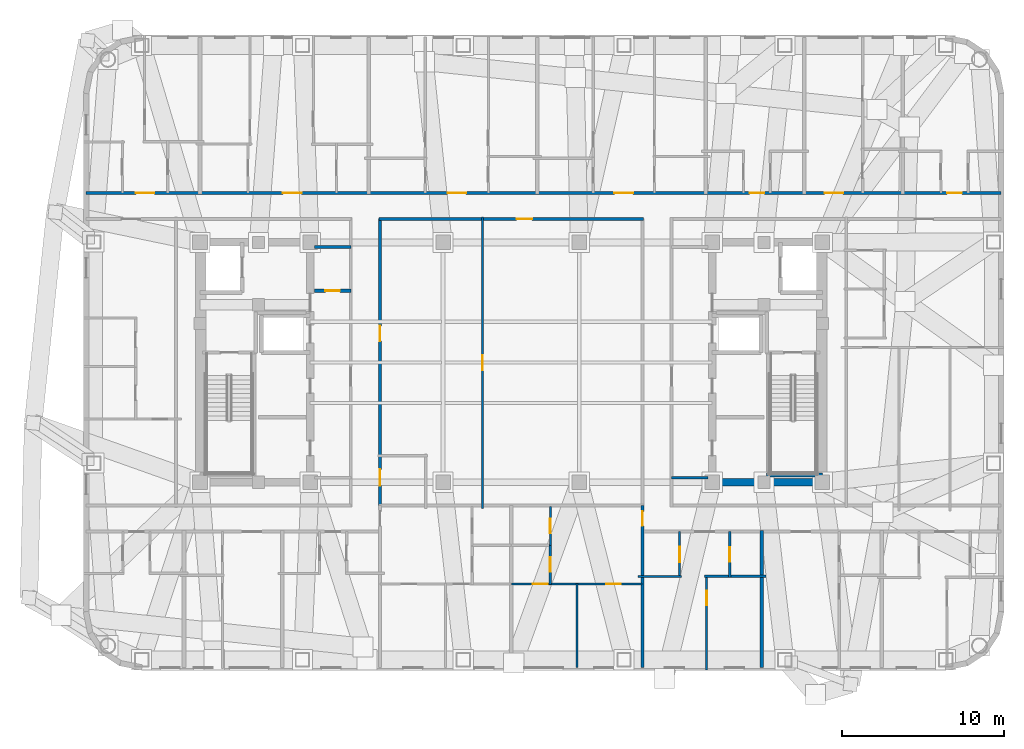
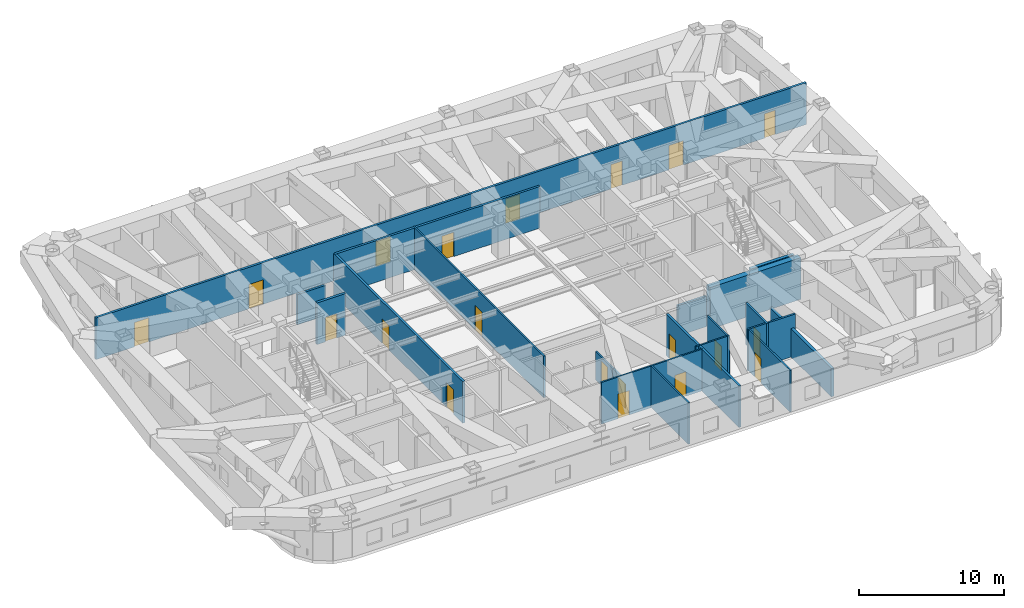
# One storey, part 6 of 12: 20 doors, 20 walls, 20 openings.
"""IFC4 building model written with IfcOpenShell, lengths in metres."""

import ifcopenshell
import ifcopenshell.guid

model = None  # the IFC model being written
_history = None  # IfcOwnerHistory: only IFC2X3 demands one
_inside = {}  # id of a spatial element -> (the spatial element, [elements in it])
_under = {}  # id of a project, library or spatial element -> (it, [spatial elements below it])
_declared = {}  # id of a project -> (the project, [libraries it declares])
_typed = {}  # id of a type object -> (the type object, [elements of that type])
_made_of = {}  # id of a material, layer set ... -> (it, [elements and type objects made of it])


def new_model(schema):
    """Start an empty IFC model of exactly this schema.

    Asked for "IFC4X3", IfcOpenShell would pick the latest addendum, in which some entities
    have other attributes; the version numbers below select the first issue.
    IFC2X3 requires an IfcOwnerHistory on every rooted entity: one is made here for all.
    """
    global model, _history
    if schema == "IFC4X3":
        model = ifcopenshell.file(schema_version=(4, 3, 0, 0))
    else:
        model = ifcopenshell.file(schema=schema)
    _inside.clear()
    _under.clear()
    _declared.clear()
    _typed.clear()
    _made_of.clear()
    _history = None
    if model.schema == "IFC2X3":
        org = make("IfcOrganization", Name="unknown")
        user = make(
            "IfcPersonAndOrganization",
            ThePerson=make("IfcPerson", FamilyName="unknown"),
            TheOrganization=org,
        )
        app = make(
            "IfcApplication",
            ApplicationDeveloper=org,
            Version="unknown",
            ApplicationFullName="unknown",
            ApplicationIdentifier="unknown",
        )
        _history = make(
            "IfcOwnerHistory",
            OwningUser=user,
            OwningApplication=app,
            ChangeAction="ADDED",
            CreationDate=0,
        )
    return model


def make(cls, **values):
    """One entity of the class cls with the attributes given. An attribute that is None is left unset."""
    return model.create_entity(
        cls, **{name: value for name, value in values.items() if value is not None}
    )


def rooted(cls, **values):
    """An entity with a GlobalId (a new one), such as an element, a storey or a relation."""
    return make(cls, GlobalId=ifcopenshell.guid.new(), OwnerHistory=_history, **values)


def si_unit(unit_type, name, prefix=None):
    """IfcSIUnit, for example si_unit("LENGTHUNIT", "METRE", prefix="MILLI")."""
    return make("IfcSIUnit", UnitType=unit_type, Prefix=prefix, Name=name)


def assignment(units):
    """IfcUnitAssignment: the units of a project."""
    return None if units is None else make("IfcUnitAssignment", Units=units)


def point(xyz):
    """IfcCartesianPoint."""
    return None if xyz is None else make("IfcCartesianPoint", Coordinates=xyz)


def direction(xyz):
    """IfcDirection."""
    return None if xyz is None else make("IfcDirection", DirectionRatios=xyz)


def frame(location, z_axis=None, x_axis=None):
    """IfcAxis2Placement3D, a coordinate frame: its origin and axes. An axis left out is left unset."""
    return make(
        "IfcAxis2Placement3D",
        Location=point(location),
        Axis=direction(z_axis),
        RefDirection=direction(x_axis),
    )


def frame_2d(location, x_axis=None):
    """IfcAxis2Placement2D, a coordinate frame in the plane: its origin and x axis."""
    return make(
        "IfcAxis2Placement2D", Location=point(location), RefDirection=direction(x_axis)
    )


def origin():
    """The frame at (0, 0, 0) with its axes left unset."""
    return frame((0.0, 0.0, 0.0))


def place(relative_to, where):
    """IfcLocalPlacement: puts the frame where relative to a parent placement (None: the world)."""
    return make(
        "IfcLocalPlacement", PlacementRelTo=relative_to, RelativePlacement=where
    )


def context(
    kind, dimensions, precision=None, world=None, true_north=None, identifier=None
):
    """IfcGeometricRepresentationContext, for example the 3D "Model" context."""
    return make(
        "IfcGeometricRepresentationContext",
        ContextIdentifier=identifier,
        ContextType=kind,
        CoordinateSpaceDimension=dimensions,
        Precision=precision,
        WorldCoordinateSystem=world,
        TrueNorth=true_north,
    )


def subcontext(parent, identifier, kind, view, scale=None):
    """IfcGeometricRepresentationSubContext, for example "Body" below "Model"."""
    return make(
        "IfcGeometricRepresentationSubContext",
        ContextIdentifier=identifier,
        ContextType=kind,
        ParentContext=parent,
        TargetScale=scale,
        TargetView=view,
    )


def project(units=None, contexts=None):
    """IfcProject with its units and contexts."""
    return rooted(
        "IfcProject",
        Name="project",
        RepresentationContexts=contexts,
        UnitsInContext=assignment(units),
    )


def spatial(cls, under=None, at=None, **own):
    """A site, building, storey or space (cls), placed at a placement, below another one or the project."""
    s = rooted(cls, ObjectPlacement=at, **own)
    if under is not None:
        _under.setdefault(under.id(), (under, []))[1].append(s)
    return s


def profile(cls, at=None, kind="AREA", **sizes):
    """A parametric profile (cls). Its sizes go by their IFC names, for example OverallWidth=200.0."""
    return make(cls, ProfileType=kind, Position=at, **sizes)


def rectangle(**sizes):
    """IfcRectangleProfileDef."""
    return profile("IfcRectangleProfileDef", **sizes)


def extrude(swept, where, along, depth):
    """IfcExtrudedAreaSolid: the profile swept, set in the frame where, extruded along a direction by depth."""
    return make(
        "IfcExtrudedAreaSolid",
        SweptArea=swept,
        Position=where,
        ExtrudedDirection=direction(along),
        Depth=depth,
    )


def shape(context_of_items, identifier, shape_type, items):
    """IfcShapeRepresentation: the items that make up one representation, for example the "Body"."""
    return make(
        "IfcShapeRepresentation",
        ContextOfItems=context_of_items,
        RepresentationIdentifier=identifier,
        RepresentationType=shape_type,
        Items=items,
    )


def material(Name=None, Category=None):
    """IfcMaterial."""
    return make("IfcMaterial", Name=Name, Category=Category)


def layer(
    of_material, thickness, ventilated=None, Name=None, Category=None, Priority=None
):
    """IfcMaterialLayer: one layer of a wall or slab, of a material (None: an air gap)."""
    return make(
        "IfcMaterialLayer",
        Material=of_material,
        LayerThickness=thickness,
        IsVentilated=ventilated,
        Name=Name,
        Category=Category,
        Priority=Priority,
    )


def layer_set(layers, Name=None):
    """IfcMaterialLayerSet."""
    return make("IfcMaterialLayerSet", MaterialLayers=layers, LayerSetName=Name)


def made_of(thing, what):
    """Note that an element or type object is made of a material, layer set ...; save() writes the relation."""
    if what is not None:
        _made_of.setdefault(what.id(), (what, []))[1].append(thing)
    return thing


def type_object(cls, material=None, **own):
    """A type object (cls), such as IfcWallType, which elements share."""
    return made_of(rooted(cls, **own), material)


def element(
    cls,
    number,
    at=None,
    inside=None,
    cuts=None,
    type_object=None,
    material=None,
    context=None,
    identifier="Body",
    shape_type=None,
    held_by="IfcProductDefinitionShape",
    body=None,
    shapes=None,
    **own,
):
    """One element of the class cls, such as IfcWall. Its Tag is "e" and its number.

    at: its placement. inside: the storey or other place that contains it. cuts: it is an
    opening in that element (IfcRelVoidsElement). A single representation is given by context,
    identifier, shape_type and body (its items); several are given by shapes. held_by: the class
    of the entity that holds the representations. save() writes the other relations.
    """
    e = rooted(cls, Tag="e%d" % number, ObjectPlacement=at, **own)
    if body is not None:
        shapes = [shape(context, identifier, shape_type, body)]
    if shapes is not None:
        e.Representation = make(held_by, Representations=shapes)
    if inside is not None:
        _inside.setdefault(inside.id(), (inside, []))[1].append(e)
    if cuts is not None:
        rooted(
            "IfcRelVoidsElement", RelatingBuildingElement=cuts, RelatedOpeningElement=e
        )
    if type_object is not None:
        _typed.setdefault(type_object.id(), (type_object, []))[1].append(e)
    return made_of(e, material)


def fill(opening, filler):
    """IfcRelFillsElement: the door or window that sits in an opening."""
    return rooted(
        "IfcRelFillsElement",
        RelatingOpeningElement=opening,
        RelatedBuildingElement=filler,
    )


def aggregate(whole, parts):
    """IfcRelAggregates: a whole, such as a stair, and the parts it consists of."""
    return rooted("IfcRelAggregates", RelatingObject=whole, RelatedObjects=parts)


def save(model, path):
    """Write the relations noted so far, then the file.

    IfcRelAggregates (storeys below a building ...), IfcRelContainedInSpatialStructure (elements
    in a storey), IfcRelDefinesByType, IfcRelAssociatesMaterial and IfcRelDeclares: one each for
    every whole, place, type object, material and project.
    """
    for whole, parts in _under.values():
        aggregate(whole, parts)
    for where, things in _inside.values():
        rooted(
            "IfcRelContainedInSpatialStructure",
            RelatedElements=things,
            RelatingStructure=where,
        )
    for kind, things in _typed.values():
        rooted("IfcRelDefinesByType", RelatedObjects=things, RelatingType=kind)
    for what, things in _made_of.values():
        rooted("IfcRelAssociatesMaterial", RelatedObjects=things, RelatingMaterial=what)
    for by, libraries in _declared.values():
        rooted("IfcRelDeclares", RelatingContext=by, RelatedDefinitions=libraries)
    model.write(path)


model = new_model("IFC4")

# Units and contexts
model_context = context("Model", 3, precision=1e-05, world=origin(), true_north=direction((0.0, 1.0)))
body_context = subcontext(model_context, "Body", "Model", "MODEL_VIEW")
ifc_project = project(units=[si_unit("LENGTHUNIT", "METRE"), si_unit("AREAUNIT", "SQUARE_METRE"), si_unit("VOLUMEUNIT", "CUBIC_METRE"), si_unit("PLANEANGLEUNIT", "RADIAN"), si_unit("MASSUNIT", "GRAM", prefix="KILO")], contexts=[model_context])

# Site, building, storey
site_placement = place(None, origin())
site = spatial("IfcSite", under=ifc_project, at=site_placement, CompositionType="ELEMENT")
building_placement = place(site_placement, origin())
building = spatial("IfcBuilding", under=site, at=building_placement, Name="Voryun Gate Residences", CompositionType="ELEMENT")
storey_placement = place(building_placement, frame((0.0, 0.0, 250.89990234375)))
storey = spatial("IfcBuildingStorey", under=building, at=storey_placement, Name="L62", CompositionType="ELEMENT", Elevation=250.89990234375)

# Walls
ifc_material_1 = material(Name="Concrete C50/60", Category="concrete")
ifc_layer_1 = layer(ifc_material_1, 0.449951171875, Name="CW_CORE_450")
ifc_layer_set_1 = layer_set([ifc_layer_1], Name="Concrete C50/60")
wall_type_1 = type_object("IfcWallType", Name="CW_CORE_450", PredefinedType="SHEAR", material=ifc_layer_set_1)
wall_1_placement = place(storey_placement, frame((12.175048828125, -7.39990234375, 0.0), z_axis=(0.0, 0.0, 1.0), x_axis=(1.0, 0.0, 0.0)))
element("IfcWall", 1, at=wall_1_placement, inside=storey, type_object=wall_type_1, Name="L62 Core shear wall CW-L62-ES", PredefinedType="SHEAR", context=body_context, shape_type="SweptSolid", body=[
    extrude(rectangle(XDim=7.25, YDim=0.449951171875, at=frame_2d((3.625, 0.0))), origin(), (0.0, 0.0, 1.0), 3.5),
])
ifc_material_2 = material(Name="Gypsum acoustic fireboard")
ifc_layer_2 = layer(ifc_material_2, 0.179931640625, Name="W_CORR_RATED_180")
ifc_layer_set_2 = layer_set([ifc_layer_2], Name="Gypsum acoustic fireboard")
wall_type_2 = type_object("IfcWallType", Name="W_CORR_RATED_180", PredefinedType="PARTITIONING", material=ifc_layer_set_2)
for number, where, z_axis, x_axis, name in (
    (2, (-12.14990234375, 7.1201171875, 0.0), (0.0, 0.0, 1.0), (1.0, 0.0, 0.0), "Partition wall WP-L62-PLBN-W"),
    (3, (9.8798828125, -7.1201171875, 0.0), (0.0, 0.0, 1.0), (1.0, 0.0, 0.0), "Partition wall WP-L62-PLBS-E"),
):
    element("IfcWall", number, at=place(storey_placement, frame(where, z_axis=z_axis, x_axis=x_axis)), inside=storey, type_object=wall_type_2, Name=name, PredefinedType="PARTITIONING", context=body_context, shape_type="SweptSolid", body=[
        extrude(rectangle(XDim=2.27001953125, YDim=0.179931640625, at=frame_2d((1.135009765625, 0.0))), origin(), (0.0, 0.0, 1.0), 2.5400390625),
    ])

# Wall, opening, door
wall_2_placement = place(storey_placement, frame((-8.14990234375, 8.840087890625, 0.0), z_axis=(0.0, 0.0, 1.0), x_axis=(1.0, 0.0, 0.0)))
wall_2 = element("IfcWall", 4, at=wall_2_placement, inside=storey, type_object=wall_type_2, Name="Partition wall WP-L62-Z3N", PredefinedType="PARTITIONING", context=body_context, shape_type="SweptSolid", body=[
    extrude(rectangle(XDim=16.2998046875, YDim=0.179931640625, at=frame_2d((8.14990234375, 0.0))), origin(), (0.0, 0.0, 1.0), 3.5),
])
opening_1_placement = place(wall_2_placement, frame((8.489990234375, 0.0, 0.0)))
opening_1 = element("IfcOpeningElement", 5, at=opening_1_placement, cuts=wall_2, Name="Opening D-INT-1", PredefinedType="OPENING", context=body_context, shape_type="SweptSolid", body=[
    extrude(rectangle(XDim=0.949951171875, YDim=2.050048828125, at=frame_2d((0.47509765625, 1.02490234375))), frame((0.0, 0.099853515625, 0.0), z_axis=(0.0, -1.0, 0.0), x_axis=(1.0, 0.0, 0.0)), (0.0, 0.0, 1.0), 0.199951171875),
])
ifc_material_3 = material(Name="Architectural oak veneer")
door_type_1 = type_object("IfcDoorType", Name="DR_INT_ROOM_950", OperationType="NOTDEFINED", PredefinedType="DOOR", material=ifc_material_3)
door_1_placement = place(opening_1_placement, origin())
door_1 = element("IfcDoor", 6, at=door_1_placement, inside=storey, type_object=door_type_1, Name="Door DR-L62-CMIDZ3N", OperationType="SINGLE_SWING_LEFT", OverallHeight=2.050048828125, OverallWidth=0.949951171875, PredefinedType="DOOR", context=body_context, shape_type="SweptSolid", body=[
    extrude(rectangle(XDim=0.949951171875, YDim=2.050048828125, at=frame_2d((0.47509765625, 1.02490234375))), frame((0.0, 0.02490234375, 0.0), z_axis=(0.0, -1.0, 0.0), x_axis=(1.0, 0.0, 0.0)), (0.0, 0.0, 1.0), 0.050048828125),
])
fill(opening_1, door_1)

# Wall, openings, doors
wall_3_placement = place(storey_placement, frame((-8.10009765625, -8.8798828125, 0.0), z_axis=(0.0, 0.0, 1.0), x_axis=(0.0, 1.0, 0.0)))
wall_3 = element("IfcWall", 7, at=wall_3_placement, inside=storey, type_object=wall_type_2, Name="Partition wall WP-L62-Z3W", PredefinedType="PARTITIONING", context=body_context, shape_type="SweptSolid", body=[
    extrude(rectangle(XDim=17.759765625, YDim=0.179931640625, at=frame_2d((8.8798828125, 0.0))), origin(), (0.0, 0.0, 1.0), 3.5),
])
opening_2_placement = place(wall_3_placement, frame((1.27587890625, 0.0, 0.0)))
opening_2 = element("IfcOpeningElement", 8, at=opening_2_placement, cuts=wall_3, Name="Opening D-AWC-1", PredefinedType="OPENING", context=body_context, shape_type="SweptSolid", body=[
    extrude(rectangle(XDim=1.0, YDim=2.050048828125, at=frame_2d((0.5, 1.02490234375))), frame((0.0, 0.099853515625, 0.0), z_axis=(0.0, -1.0, 0.0), x_axis=(1.0, 0.0, 0.0)), (0.0, 0.0, 1.0), 0.199951171875),
])
opening_3_placement = place(wall_3_placement, frame((10.180908203125, 0.0, 0.0)))
opening_3 = element("IfcOpeningElement", 9, at=opening_3_placement, cuts=wall_3, Name="Opening D-INT-1", PredefinedType="OPENING", context=body_context, shape_type="SweptSolid", body=[
    extrude(rectangle(XDim=0.949951171875, YDim=2.050048828125, at=frame_2d((0.47509765625, 1.02490234375))), frame((0.0, 0.099853515625, 0.0), z_axis=(0.0, -1.0, 0.0), x_axis=(1.0, 0.0, 0.0)), (0.0, 0.0, 1.0), 0.199951171875),
])
ifc_material_4 = material(Name="Architectural oak veneer")
door_type_2 = type_object("IfcDoorType", Name="DR_ACC_WC_1000", OperationType="NOTDEFINED", PredefinedType="DOOR", material=ifc_material_4)
door_2_placement = place(opening_2_placement, origin())
door_2 = element("IfcDoor", 10, at=door_2_placement, inside=storey, type_object=door_type_2, Name="Door DR-L62-CMWC-D", OperationType="SINGLE_SWING_LEFT", OverallHeight=2.050048828125, OverallWidth=1.0, PredefinedType="DOOR", context=body_context, shape_type="SweptSolid", body=[
    extrude(rectangle(XDim=1.0, YDim=2.050048828125, at=frame_2d((0.5, 1.02490234375))), frame((0.0, 0.02490234375, 0.0), z_axis=(0.0, -1.0, 0.0), x_axis=(1.0, 0.0, 0.0)), (0.0, 0.0, 1.0), 0.050048828125),
])
fill(opening_2, door_2)
door_3_placement = place(opening_3_placement, origin())
door_3 = element("IfcDoor", 11, at=door_3_placement, inside=storey, type_object=door_type_1, Name="Door DR-L62-CMIDZ3W", OperationType="SINGLE_SWING_RIGHT", OverallHeight=2.050048828125, OverallWidth=0.949951171875, PredefinedType="DOOR", context=body_context, shape_type="SweptSolid", body=[
    extrude(rectangle(XDim=0.949951171875, YDim=2.050048828125, at=frame_2d((0.47509765625, 1.02490234375))), frame((0.0, 0.02490234375, 0.0), z_axis=(0.0, -1.0, 0.0), x_axis=(1.0, 0.0, 0.0)), (0.0, 0.0, 1.0), 0.050048828125),
])
fill(opening_3, door_3)

wall_4_placement = place(storey_placement, frame((-26.22998046875, 10.449951171875, 0.0), z_axis=(0.0, 0.0, 1.0), x_axis=(1.0, 0.0, 0.0)))
wall_4 = element("IfcWall", 12, at=wall_4_placement, inside=storey, type_object=wall_type_2, Name="Partition wall WP-L62-NCORR", PredefinedType="PARTITIONING", context=body_context, shape_type="SweptSolid", body=[
    extrude(rectangle(XDim=56.4599609375, YDim=0.179931640625, at=frame_2d((28.22998046875, 0.0))), origin(), (0.0, 0.0, 1.0), 3.5),
])
opening_4_placement = place(wall_4_placement, frame((3.072265625, 0.0, 0.0)))
opening_4 = element("IfcOpeningElement", 13, at=opening_4_placement, cuts=wall_4, Name="Opening D-UNIT-1", PredefinedType="OPENING", context=body_context, shape_type="SweptSolid", body=[
    extrude(rectangle(XDim=1.14990234375, YDim=2.050048828125, at=frame_2d((0.574951171875, 1.02490234375))), frame((0.0, 0.099853515625, 0.0), z_axis=(0.0, -1.0, 0.0), x_axis=(1.0, 0.0, 0.0)), (0.0, 0.0, 1.0), 0.199951171875),
])
opening_5_placement = place(wall_4_placement, frame((12.1455078125, 0.0, 0.0)))
opening_5 = element("IfcOpeningElement", 14, at=opening_5_placement, cuts=wall_4, Name="Opening D-UNIT-1", PredefinedType="OPENING", context=body_context, shape_type="SweptSolid", body=[
    extrude(rectangle(XDim=1.14990234375, YDim=2.050048828125, at=frame_2d((0.574951171875, 1.02490234375))), frame((0.0, 0.099853515625, 0.0), z_axis=(0.0, -1.0, 0.0), x_axis=(1.0, 0.0, 0.0)), (0.0, 0.0, 1.0), 0.199951171875),
])
opening_6_placement = place(wall_4_placement, frame((22.302490234375, 0.0, 0.0)))
opening_6 = element("IfcOpeningElement", 15, at=opening_6_placement, cuts=wall_4, Name="Opening D-UNIT-1", PredefinedType="OPENING", context=body_context, shape_type="SweptSolid", body=[
    extrude(rectangle(XDim=1.14990234375, YDim=2.050048828125, at=frame_2d((0.574951171875, 1.02490234375))), frame((0.0, 0.099853515625, 0.0), z_axis=(0.0, -1.0, 0.0), x_axis=(1.0, 0.0, 0.0)), (0.0, 0.0, 1.0), 0.199951171875),
])
opening_7_placement = place(wall_4_placement, frame((32.600830078125, 0.0, 0.0)))
opening_7 = element("IfcOpeningElement", 16, at=opening_7_placement, cuts=wall_4, Name="Opening D-UNIT-1", PredefinedType="OPENING", context=body_context, shape_type="SweptSolid", body=[
    extrude(rectangle(XDim=1.14990234375, YDim=2.050048828125, at=frame_2d((0.574951171875, 1.02490234375))), frame((0.0, 0.099853515625, 0.0), z_axis=(0.0, -1.0, 0.0), x_axis=(1.0, 0.0, 0.0)), (0.0, 0.0, 1.0), 0.199951171875),
])
opening_8_placement = place(wall_4_placement, frame((40.94091796875, 0.0, 0.0)))
opening_8 = element("IfcOpeningElement", 17, at=opening_8_placement, cuts=wall_4, Name="Opening D-INT-2", PredefinedType="OPENING", context=body_context, shape_type="SweptSolid", body=[
    extrude(rectangle(XDim=0.89990234375, YDim=2.050048828125, at=frame_2d((0.449951171875, 1.02490234375))), frame((0.0, 0.099853515625, 0.0), z_axis=(0.0, -1.0, 0.0), x_axis=(1.0, 0.0, 0.0)), (0.0, 0.0, 1.0), 0.199951171875),
])
opening_9_placement = place(wall_4_placement, frame((45.55859375, 0.0, 0.0)))
opening_9 = element("IfcOpeningElement", 18, at=opening_9_placement, cuts=wall_4, Name="Opening D-UNIT-1", PredefinedType="OPENING", context=body_context, shape_type="SweptSolid", body=[
    extrude(rectangle(XDim=1.14990234375, YDim=2.050048828125, at=frame_2d((0.574951171875, 1.02490234375))), frame((0.0, 0.099853515625, 0.0), z_axis=(0.0, -1.0, 0.0), x_axis=(1.0, 0.0, 0.0)), (0.0, 0.0, 1.0), 0.199951171875),
])
opening_10_placement = place(wall_4_placement, frame((53.125, 0.0, 0.0)))
opening_10 = element("IfcOpeningElement", 19, at=opening_10_placement, cuts=wall_4, Name="Opening D-INT-2", PredefinedType="OPENING", context=body_context, shape_type="SweptSolid", body=[
    extrude(rectangle(XDim=0.89990234375, YDim=2.050048828125, at=frame_2d((0.449951171875, 1.02490234375))), frame((0.0, 0.099853515625, 0.0), z_axis=(0.0, -1.0, 0.0), x_axis=(1.0, 0.0, 0.0)), (0.0, 0.0, 1.0), 0.199951171875),
])
ifc_material_5 = material(Name="Architectural oak veneer")
door_type_3 = type_object("IfcDoorType", Name="DR_INT_BATH_900", OperationType="NOTDEFINED", PredefinedType="DOOR", material=ifc_material_5)
door_4_placement = place(opening_8_placement, origin())
door_4 = element("IfcDoor", 20, at=door_4_placement, inside=storey, type_object=door_type_3, Name="Door DR-L62-NENT-5", OperationType="SINGLE_SWING_LEFT", OverallHeight=2.050048828125, OverallWidth=0.89990234375, PredefinedType="DOOR", context=body_context, shape_type="SweptSolid", body=[
    extrude(rectangle(XDim=0.89990234375, YDim=2.050048828125, at=frame_2d((0.449951171875, 1.02490234375))), frame((0.0, 0.02490234375, 0.0), z_axis=(0.0, -1.0, 0.0), x_axis=(1.0, 0.0, 0.0)), (0.0, 0.0, 1.0), 0.050048828125),
])
fill(opening_8, door_4)
door_5_placement = place(opening_10_placement, origin())
door_5 = element("IfcDoor", 21, at=door_5_placement, inside=storey, type_object=door_type_3, Name="Door DR-L62-NENT-7", OperationType="SINGLE_SWING_LEFT", OverallHeight=2.050048828125, OverallWidth=0.89990234375, PredefinedType="DOOR", context=body_context, shape_type="SweptSolid", body=[
    extrude(rectangle(XDim=0.89990234375, YDim=2.050048828125, at=frame_2d((0.449951171875, 1.02490234375))), frame((0.0, 0.02490234375, 0.0), z_axis=(0.0, -1.0, 0.0), x_axis=(1.0, 0.0, 0.0)), (0.0, 0.0, 1.0), 0.050048828125),
])
fill(opening_10, door_5)
ifc_material_6 = material(Name="Armoured timber-clad fire door", Category="wood")
door_type_4 = type_object("IfcDoorType", Name="DR_UNIT_ENTRY_1150", OperationType="NOTDEFINED", PredefinedType="DOOR", material=ifc_material_6)
door_6_placement = place(opening_4_placement, origin())
door_6 = element("IfcDoor", 22, at=door_6_placement, inside=storey, type_object=door_type_4, Name="Door DR-L62-NENT-1", OperationType="SINGLE_SWING_LEFT", OverallHeight=2.050048828125, OverallWidth=1.14990234375, PredefinedType="DOOR", context=body_context, shape_type="SweptSolid", body=[
    extrude(rectangle(XDim=1.14990234375, YDim=2.050048828125, at=frame_2d((0.574951171875, 1.02490234375))), frame((0.0, 0.02490234375, 0.0), z_axis=(0.0, -1.0, 0.0), x_axis=(1.0, 0.0, 0.0)), (0.0, 0.0, 1.0), 0.050048828125),
])
fill(opening_4, door_6)
door_7_placement = place(opening_5_placement, origin())
door_7 = element("IfcDoor", 23, at=door_7_placement, inside=storey, type_object=door_type_4, Name="Door DR-L62-NENT-2", OperationType="SINGLE_SWING_RIGHT", OverallHeight=2.050048828125, OverallWidth=1.14990234375, PredefinedType="DOOR", context=body_context, shape_type="SweptSolid", body=[
    extrude(rectangle(XDim=1.14990234375, YDim=2.050048828125, at=frame_2d((0.574951171875, 1.02490234375))), frame((0.0, 0.02490234375, 0.0), z_axis=(0.0, -1.0, 0.0), x_axis=(1.0, 0.0, 0.0)), (0.0, 0.0, 1.0), 0.050048828125),
])
fill(opening_5, door_7)
door_8_placement = place(opening_6_placement, origin())
door_8 = element("IfcDoor", 24, at=door_8_placement, inside=storey, type_object=door_type_4, Name="Door DR-L62-NENT-3", OperationType="SINGLE_SWING_LEFT", OverallHeight=2.050048828125, OverallWidth=1.14990234375, PredefinedType="DOOR", context=body_context, shape_type="SweptSolid", body=[
    extrude(rectangle(XDim=1.14990234375, YDim=2.050048828125, at=frame_2d((0.574951171875, 1.02490234375))), frame((0.0, 0.02490234375, 0.0), z_axis=(0.0, -1.0, 0.0), x_axis=(1.0, 0.0, 0.0)), (0.0, 0.0, 1.0), 0.050048828125),
])
fill(opening_6, door_8)
door_9_placement = place(opening_7_placement, origin())
door_9 = element("IfcDoor", 25, at=door_9_placement, inside=storey, type_object=door_type_4, Name="Door DR-L62-NENT-4", OperationType="SINGLE_SWING_RIGHT", OverallHeight=2.050048828125, OverallWidth=1.14990234375, PredefinedType="DOOR", context=body_context, shape_type="SweptSolid", body=[
    extrude(rectangle(XDim=1.14990234375, YDim=2.050048828125, at=frame_2d((0.574951171875, 1.02490234375))), frame((0.0, 0.02490234375, 0.0), z_axis=(0.0, -1.0, 0.0), x_axis=(1.0, 0.0, 0.0)), (0.0, 0.0, 1.0), 0.050048828125),
])
fill(opening_7, door_9)
door_10_placement = place(opening_9_placement, origin())
door_10 = element("IfcDoor", 26, at=door_10_placement, inside=storey, type_object=door_type_4, Name="Door DR-L62-NENT-6", OperationType="SINGLE_SWING_RIGHT", OverallHeight=2.050048828125, OverallWidth=1.14990234375, PredefinedType="DOOR", context=body_context, shape_type="SweptSolid", body=[
    extrude(rectangle(XDim=1.14990234375, YDim=2.050048828125, at=frame_2d((0.574951171875, 1.02490234375))), frame((0.0, 0.02490234375, 0.0), z_axis=(0.0, -1.0, 0.0), x_axis=(1.0, 0.0, 0.0)), (0.0, 0.0, 1.0), 0.050048828125),
])
fill(opening_9, door_10)

# Wall, opening, door
wall_5_placement = place(storey_placement, frame((8.10009765625, -18.830078125, 0.0), z_axis=(0.0, 0.0, 1.0), x_axis=(0.0, 1.0, 0.0)))
wall_5 = element("IfcWall", 27, at=wall_5_placement, inside=storey, type_object=wall_type_2, Name="Partition wall WP-L62-SZV-2", PredefinedType="PARTITIONING", context=body_context, shape_type="SweptSolid", body=[
    extrude(rectangle(XDim=9.989990234375, YDim=0.179931640625, at=frame_2d((4.9951171875, 0.0))), origin(), (0.0, 0.0, 1.0), 3.5),
])
opening_11_placement = place(wall_5_placement, frame((8.73974609375, 0.0, 0.0)))
opening_11 = element("IfcOpeningElement", 28, at=opening_11_placement, cuts=wall_5, Name="Opening D-INT-2", PredefinedType="OPENING", context=body_context, shape_type="SweptSolid", body=[
    extrude(rectangle(XDim=0.89990234375, YDim=2.050048828125, at=frame_2d((0.449951171875, 1.02490234375))), frame((0.0, 0.099853515625, 0.0), z_axis=(0.0, -1.0, 0.0), x_axis=(1.0, 0.0, 0.0)), (0.0, 0.0, 1.0), 0.199951171875),
])
door_11_placement = place(opening_11_placement, origin())
door_11 = element("IfcDoor", 29, at=door_11_placement, inside=storey, type_object=door_type_3, Name="Door DR-L62-SZENT-2", OperationType="SINGLE_SWING_RIGHT", OverallHeight=2.050048828125, OverallWidth=0.89990234375, PredefinedType="DOOR", context=body_context, shape_type="SweptSolid", body=[
    extrude(rectangle(XDim=0.89990234375, YDim=2.050048828125, at=frame_2d((0.449951171875, 1.02490234375))), frame((0.0, 0.02490234375, 0.0), z_axis=(0.0, -1.0, 0.0), x_axis=(1.0, 0.0, 0.0)), (0.0, 0.0, 1.0), 0.050048828125),
])
fill(opening_11, door_11)

ifc_material_7 = material(Name="Concrete C40/50", Category="concrete")
ifc_layer_3 = layer(ifc_material_7, 0.199951171875, Name="W_FF_LOBBY_200")
ifc_layer_set_3 = layer_set([ifc_layer_3], Name="Concrete C40/50")
wall_type_3 = type_object("IfcWallType", Name="W_FF_LOBBY_200", PredefinedType="PARTITIONING", material=ifc_layer_set_3)
wall_6_placement = place(storey_placement, frame((-12.14990234375, 4.409912109375, 0.0), z_axis=(0.0, 0.0, 1.0), x_axis=(1.0, 0.0, 0.0)))
wall_6 = element("IfcWall", 30, at=wall_6_placement, inside=storey, type_object=wall_type_3, Name="Partition wall WP-L62-CSFLKS-W", PredefinedType="PARTITIONING", context=body_context, shape_type="SweptSolid", body=[
    extrude(rectangle(XDim=2.27001953125, YDim=0.199951171875, at=frame_2d((1.135009765625, 0.0))), origin(), (0.0, 0.0, 1.0), 3.5),
])
opening_12_placement = place(wall_6_placement, frame((0.68505859375, 0.0, 0.0)))
opening_12 = element("IfcOpeningElement", 31, at=opening_12_placement, cuts=wall_6, Name="Opening D-FD60-4", PredefinedType="OPENING", context=body_context, shape_type="SweptSolid", body=[
    extrude(rectangle(XDim=0.89990234375, YDim=2.050048828125, at=frame_2d((0.449951171875, 1.02490234375))), frame((0.0, 0.110107421875, 0.0), z_axis=(0.0, -1.0, 0.0), x_axis=(1.0, 0.0, 0.0)), (0.0, 0.0, 1.0), 0.219970703125),
])
ifc_material_8 = material(Name="Painted steel fire door", Category="steel")
door_type_5 = type_object("IfcDoorType", Name="DR_FD60_RISER_900", OperationType="NOTDEFINED", PredefinedType="DOOR", material=ifc_material_8)
door_12_placement = place(opening_12_placement, origin())
door_12 = element("IfcDoor", 32, at=door_12_placement, inside=storey, type_object=door_type_5, Name="Door DR-L62-CSFLK-W", OperationType="SINGLE_SWING_LEFT", OverallHeight=2.050048828125, OverallWidth=0.89990234375, PredefinedType="DOOR", context=body_context, shape_type="SweptSolid", body=[
    extrude(rectangle(XDim=0.89990234375, YDim=2.050048828125, at=frame_2d((0.449951171875, 1.02490234375))), frame((0.0, 0.02490234375, 0.0), z_axis=(0.0, -1.0, 0.0), x_axis=(1.0, 0.0, 0.0)), (0.0, 0.0, 1.0), 0.050048828125),
])
fill(opening_12, door_12)

# Walls
ifc_material_9 = material(Name="Concrete C40/50", Category="concrete")
ifc_layer_4 = layer(ifc_material_9, 0.219970703125, Name="W_PARTY_ACOUSTIC_220")
ifc_layer_set_4 = layer_set([ifc_layer_4], Name="Concrete C40/50")
wall_type_4 = type_object("IfcWallType", Name="W_PARTY_ACOUSTIC_220", PredefinedType="PARTITIONING", material=ifc_layer_set_4)
wall_7_placement = place(storey_placement, frame((15.466064453125, -18.830078125, 0.0), z_axis=(0.0, 0.0, 1.0), x_axis=(0.0, 1.0, 0.0)))
element("IfcWall", 33, at=wall_7_placement, inside=storey, type_object=wall_type_4, Name="Partition wall WP-L62-SPTY-5", PredefinedType="PARTITIONING", context=body_context, shape_type="SweptSolid", body=[
    extrude(rectangle(XDim=8.4599609375, YDim=0.219970703125, at=frame_2d((4.22998046875, 0.0))), origin(), (0.0, 0.0, 1.0), 2.39013671875),
])
ifc_material_10 = material(Name="Concrete C50/60", Category="concrete")
ifc_layer_5 = layer(ifc_material_10, 0.25, Name="W_SHAFT_RC250")
ifc_layer_set_5 = layer_set([ifc_layer_5], Name="Concrete C50/60")
wall_type_5 = type_object("IfcWallType", Name="W_SHAFT_RC250", PredefinedType="SOLIDWALL", material=ifc_layer_set_5)
wall_8_placement = place(storey_placement, frame((15.739990234375, -6.965087890625, 0.0), z_axis=(0.0, 0.0, 1.0), x_axis=(1.0, 0.0, 0.0)))
element("IfcWall", 34, at=wall_8_placement, inside=storey, type_object=wall_type_5, Name="L62 Stair shaft structural wall E-STS", PredefinedType="SOLIDWALL", context=body_context, shape_type="SweptSolid", body=[
    extrude(rectangle(XDim=3.4599609375, YDim=0.25, at=frame_2d((1.72998046875, 0.0))), origin(), (0.0, 0.0, 1.0), 3.5),
])

# Wall, opening, door
ifc_material_11 = material(Name="Gypsum acoustic partition")
ifc_layer_6 = layer(ifc_material_11, 0.125, Name="W_UNIT_PART_125")
ifc_layer_set_6 = layer_set([ifc_layer_6], Name="Gypsum acoustic partition")
wall_type_6 = type_object("IfcWallType", Name="W_UNIT_PART_125", PredefinedType="PARTITIONING", material=ifc_layer_set_6)
wall_9_placement = place(storey_placement, frame((-1.77294921875, -9.02001953125, 0.0), z_axis=(0.0, 0.0, 1.0), x_axis=(0.0, 1.0, 0.0)))
wall_9 = element("IfcWall", 35, at=wall_9_placement, inside=storey, type_object=wall_type_6, Name="Partition wall WP-L62-MIDX-0", PredefinedType="PARTITIONING", context=body_context, shape_type="SweptSolid", body=[
    extrude(rectangle(XDim=17.989990234375, YDim=0.125, at=frame_2d((8.9951171875, 0.0))), origin(), (0.0, 0.0, 1.0), 3.5),
])
opening_13_placement = place(wall_9_placement, frame((8.52001953125, 0.0, 0.0)))
opening_13 = element("IfcOpeningElement", 36, at=opening_13_placement, cuts=wall_9, Name="Opening D-INT-1", PredefinedType="OPENING", context=body_context, shape_type="SweptSolid", body=[
    extrude(rectangle(XDim=0.949951171875, YDim=2.050048828125, at=frame_2d((0.47509765625, 1.02490234375))), frame((0.0, 0.072509765625, 0.0), z_axis=(0.0, -1.0, 0.0), x_axis=(1.0, 0.0, 0.0)), (0.0, 0.0, 1.0), 0.14501953125),
])
door_13_placement = place(opening_13_placement, origin())
door_13 = element("IfcDoor", 37, at=door_13_placement, inside=storey, type_object=door_type_1, Name="Door DR-L62-MIDX-0", OperationType="SINGLE_SWING_LEFT", OverallHeight=2.050048828125, OverallWidth=0.949951171875, PredefinedType="DOOR", context=body_context, shape_type="SweptSolid", body=[
    extrude(rectangle(XDim=0.949951171875, YDim=2.050048828125, at=frame_2d((0.47509765625, 1.02490234375))), frame((0.0, 0.02490234375, 0.0), z_axis=(0.0, -1.0, 0.0), x_axis=(1.0, 0.0, 0.0)), (0.0, 0.0, 1.0), 0.050048828125),
])
fill(opening_13, door_13)

wall_10_placement = place(storey_placement, frame((12.055908203125, -18.97998046875, 0.0), z_axis=(0.0, 0.0, 1.0), x_axis=(0.0, 1.0, 0.0)))
wall_10 = element("IfcWall", 38, at=wall_10_placement, inside=storey, type_object=wall_type_6, Name="Partition wall WP-L62-S5-OVR", PredefinedType="PARTITIONING", context=body_context, shape_type="SweptSolid", body=[
    extrude(rectangle(XDim=5.85009765625, YDim=0.125, at=frame_2d((2.925048828125, 0.0))), origin(), (0.0, 0.0, 1.0), 3.5),
])
opening_14_placement = place(wall_10_placement, frame((3.99609375, 0.0, 0.0)))
opening_14 = element("IfcOpeningElement", 39, at=opening_14_placement, cuts=wall_10, Name="Opening D-INT-2", PredefinedType="OPENING", context=body_context, shape_type="SweptSolid", body=[
    extrude(rectangle(XDim=0.89990234375, YDim=2.050048828125, at=frame_2d((0.449951171875, 1.02490234375))), frame((0.0, 0.072509765625, 0.0), z_axis=(0.0, -1.0, 0.0), x_axis=(1.0, 0.0, 0.0)), (0.0, 0.0, 1.0), 0.14501953125),
])
door_14_placement = place(opening_14_placement, origin())
door_14 = element("IfcDoor", 40, at=door_14_placement, inside=storey, type_object=door_type_3, Name="Door DR-L62-S5-DMB", OperationType="SINGLE_SWING_RIGHT", OverallHeight=2.050048828125, OverallWidth=0.89990234375, PredefinedType="DOOR", context=body_context, shape_type="SweptSolid", body=[
    extrude(rectangle(XDim=0.89990234375, YDim=2.050048828125, at=frame_2d((0.449951171875, 1.02490234375))), frame((0.0, 0.02490234375, 0.0), z_axis=(0.0, -1.0, 0.0), x_axis=(1.0, 0.0, 0.0)), (0.0, 0.0, 1.0), 0.050048828125),
])
fill(opening_14, door_14)

wall_11_placement = place(storey_placement, frame((10.389892578125, -13.2900390625, 0.0), z_axis=(0.0, 0.0, 1.0), x_axis=(0.0, 1.0, 0.0)))
wall_11 = element("IfcWall", 41, at=wall_11_placement, inside=storey, type_object=wall_type_6, Name="Partition wall WP-L62-S5-IVK", PredefinedType="PARTITIONING", context=body_context, shape_type="SweptSolid", body=[
    extrude(rectangle(XDim=2.860107421875, YDim=0.125, at=frame_2d((1.43017578125, 0.0))), origin(), (0.0, 0.0, 1.0), 3.5),
])
opening_15_placement = place(wall_11_placement, frame((0.955078125, 0.0, 0.0)))
opening_15 = element("IfcOpeningElement", 42, at=opening_15_placement, cuts=wall_11, Name="Opening D-INT-1", PredefinedType="OPENING", context=body_context, shape_type="SweptSolid", body=[
    extrude(rectangle(XDim=0.949951171875, YDim=2.050048828125, at=frame_2d((0.47509765625, 1.02490234375))), frame((0.0, 0.072509765625, 0.0), z_axis=(0.0, -1.0, 0.0), x_axis=(1.0, 0.0, 0.0)), (0.0, 0.0, 1.0), 0.14501953125),
])
door_15_placement = place(opening_15_placement, origin())
door_15 = element("IfcDoor", 43, at=door_15_placement, inside=storey, type_object=door_type_1, Name="Door DR-L62-S5-DK", OperationType="SINGLE_SWING_LEFT", OverallHeight=2.050048828125, OverallWidth=0.949951171875, PredefinedType="DOOR", context=body_context, shape_type="SweptSolid", body=[
    extrude(rectangle(XDim=0.949951171875, YDim=2.050048828125, at=frame_2d((0.47509765625, 1.02490234375))), frame((0.0, 0.02490234375, 0.0), z_axis=(0.0, -1.0, 0.0), x_axis=(1.0, 0.0, 0.0)), (0.0, 0.0, 1.0), 0.050048828125),
])
fill(opening_15, door_15)

# Wall
wall_12_placement = place(storey_placement, frame((7.820068359375, -13.2099609375, 0.0), z_axis=(0.0, 0.0, 1.0), x_axis=(1.0, 0.0, 0.0)))
element("IfcWall", 44, at=wall_12_placement, inside=storey, type_object=wall_type_6, Name="Partition wall WP-L62-S5-HZK", PredefinedType="PARTITIONING", context=body_context, shape_type="SweptSolid", body=[
    extrude(rectangle(XDim=2.68994140625, YDim=0.125, at=frame_2d((1.344970703125, 0.0))), origin(), (0.0, 0.0, 1.0), 3.5),
])

# Wall, openings, doors
wall_13_placement = place(storey_placement, frame((0.02001953125, -13.679931640625, 0.0), z_axis=(0.0, 0.0, 1.0), x_axis=(1.0, 0.0, 0.0)))
wall_13 = element("IfcWall", 45, at=wall_13_placement, inside=storey, type_object=wall_type_6, Name="Partition wall WP-L62-SC2-HZ", PredefinedType="PARTITIONING", context=body_context, shape_type="SweptSolid", body=[
    extrude(rectangle(XDim=8.06005859375, YDim=0.125, at=frame_2d((4.030029296875, 0.0))), origin(), (0.0, 0.0, 1.0), 3.5),
])
opening_16_placement = place(wall_13_placement, frame((1.3232421875, 0.0, 0.0)))
opening_16 = element("IfcOpeningElement", 46, at=opening_16_placement, cuts=wall_13, Name="Opening D-INT-2", PredefinedType="OPENING", context=body_context, shape_type="SweptSolid", body=[
    extrude(rectangle(XDim=0.89990234375, YDim=2.050048828125, at=frame_2d((0.449951171875, 1.02490234375))), frame((0.0, 0.072509765625, 0.0), z_axis=(0.0, -1.0, 0.0), x_axis=(1.0, 0.0, 0.0)), (0.0, 0.0, 1.0), 0.14501953125),
])
opening_17_placement = place(wall_13_placement, frame((5.8369140625, 0.0, 0.0)))
opening_17 = element("IfcOpeningElement", 47, at=opening_17_placement, cuts=wall_13, Name="Opening D-INT-2", PredefinedType="OPENING", context=body_context, shape_type="SweptSolid", body=[
    extrude(rectangle(XDim=0.89990234375, YDim=2.050048828125, at=frame_2d((0.449951171875, 1.02490234375))), frame((0.0, 0.072509765625, 0.0), z_axis=(0.0, -1.0, 0.0), x_axis=(1.0, 0.0, 0.0)), (0.0, 0.0, 1.0), 0.14501953125),
])
door_16_placement = place(opening_16_placement, origin())
door_16 = element("IfcDoor", 48, at=door_16_placement, inside=storey, type_object=door_type_3, Name="Door DR-L62-SC2-DMB", OperationType="SINGLE_SWING_LEFT", OverallHeight=2.050048828125, OverallWidth=0.89990234375, PredefinedType="DOOR", context=body_context, shape_type="SweptSolid", body=[
    extrude(rectangle(XDim=0.89990234375, YDim=2.050048828125, at=frame_2d((0.449951171875, 1.02490234375))), frame((0.0, 0.02490234375, 0.0), z_axis=(0.0, -1.0, 0.0), x_axis=(1.0, 0.0, 0.0)), (0.0, 0.0, 1.0), 0.050048828125),
])
fill(opening_16, door_16)
door_17_placement = place(opening_17_placement, origin())
door_17 = element("IfcDoor", 49, at=door_17_placement, inside=storey, type_object=door_type_3, Name="Door DR-L62-SC2-DBD2", OperationType="SINGLE_SWING_RIGHT", OverallHeight=2.050048828125, OverallWidth=0.89990234375, PredefinedType="DOOR", context=body_context, shape_type="SweptSolid", body=[
    extrude(rectangle(XDim=0.89990234375, YDim=2.050048828125, at=frame_2d((0.449951171875, 1.02490234375))), frame((0.0, 0.02490234375, 0.0), z_axis=(0.0, -1.0, 0.0), x_axis=(1.0, 0.0, 0.0)), (0.0, 0.0, 1.0), 0.050048828125),
])
fill(opening_17, door_17)

# Wall, opening, door
wall_14_placement = place(storey_placement, frame((2.409912109375, -11.31005859375, 0.0), z_axis=(0.0, 0.0, 1.0), x_axis=(0.0, 1.0, 0.0)))
wall_14 = element("IfcWall", 50, at=wall_14_placement, inside=storey, type_object=wall_type_6, Name="Partition wall WP-L62-SC2-VK1", PredefinedType="PARTITIONING", context=body_context, shape_type="SweptSolid", body=[
    extrude(rectangle(XDim=2.41015625, YDim=0.125, at=frame_2d((1.205078125, 0.0))), origin(), (0.0, 0.0, 1.0), 2.39013671875),
])
opening_18_placement = place(wall_14_placement, frame((0.7548828125, 0.0, 0.0)))
opening_18 = element("IfcOpeningElement", 51, at=opening_18_placement, cuts=wall_14, Name="Opening D-INT-2", PredefinedType="OPENING", context=body_context, shape_type="SweptSolid", body=[
    extrude(rectangle(XDim=0.89990234375, YDim=2.050048828125, at=frame_2d((0.449951171875, 1.02490234375))), frame((0.0, 0.072509765625, 0.0), z_axis=(0.0, -1.0, 0.0), x_axis=(1.0, 0.0, 0.0)), (0.0, 0.0, 1.0), 0.14501953125),
])
door_18_placement = place(opening_18_placement, origin())
door_18 = element("IfcDoor", 52, at=door_18_placement, inside=storey, type_object=door_type_3, Name="Door DR-L62-SC2-DK", OperationType="SINGLE_SWING_LEFT", OverallHeight=2.050048828125, OverallWidth=0.89990234375, PredefinedType="DOOR", context=body_context, shape_type="SweptSolid", body=[
    extrude(rectangle(XDim=0.89990234375, YDim=2.050048828125, at=frame_2d((0.449951171875, 1.02490234375))), frame((0.0, 0.02490234375, 0.0), z_axis=(0.0, -1.0, 0.0), x_axis=(1.0, 0.0, 0.0)), (0.0, 0.0, 1.0), 0.050048828125),
])
fill(opening_18, door_18)

# Walls
wall_15_placement = place(storey_placement, frame((4.050048828125, -18.830078125, 0.0), z_axis=(0.0, 0.0, 1.0), x_axis=(0.0, 1.0, 0.0)))
element("IfcWall", 53, at=wall_15_placement, inside=storey, type_object=wall_type_6, Name="Partition wall WP-L62-SC2-VBD", PredefinedType="PARTITIONING", context=body_context, shape_type="SweptSolid", body=[
    extrude(rectangle(XDim=5.190185546875, YDim=0.125, at=frame_2d((2.59521484375, 0.0))), origin(), (0.0, 0.0, 1.0), 3.5),
])
ifc_material_12 = material(Name="Gypsum moisture-resistant partition")
ifc_layer_7 = layer(ifc_material_12, 0.14990234375, Name="W_WET_PLUMB_150")
ifc_layer_set_7 = layer_set([ifc_layer_7], Name="Gypsum moisture-resistant partition")
wall_type_7 = type_object("IfcWallType", Name="W_WET_PLUMB_150", PredefinedType="PLUMBINGWALL", material=ifc_layer_set_7)
wall_16_placement = place(storey_placement, frame((11.93603515625, -13.2099609375, 0.0), z_axis=(0.0, 0.0, 1.0), x_axis=(1.0, 0.0, 0.0)))
element("IfcWall", 54, at=wall_16_placement, inside=storey, type_object=wall_type_7, Name="Partition wall WP-L62-S5-HZB", PredefinedType="PLUMBINGWALL", context=body_context, shape_type="SweptSolid", body=[
    extrude(rectangle(XDim=3.7900390625, YDim=0.14990234375, at=frame_2d((1.89501953125, 0.0))), origin(), (0.0, 0.0, 1.0), 3.5),
])

# Wall, opening, door
wall_17_placement = place(storey_placement, frame((13.486083984375, -13.2900390625, 0.0), z_axis=(0.0, 0.0, 1.0), x_axis=(0.0, 1.0, 0.0)))
wall_17 = element("IfcWall", 55, at=wall_17_placement, inside=storey, type_object=wall_type_7, Name="Partition wall WP-L62-S5-IVB", PredefinedType="PLUMBINGWALL", context=body_context, shape_type="SweptSolid", body=[
    extrude(rectangle(XDim=2.860107421875, YDim=0.14990234375, at=frame_2d((1.43017578125, 0.0))), origin(), (0.0, 0.0, 1.0), 3.5),
])
opening_19_placement = place(wall_17_placement, frame((0.97998046875, 0.0, 0.0)))
opening_19 = element("IfcOpeningElement", 56, at=opening_19_placement, cuts=wall_17, Name="Opening D-INT-2", PredefinedType="OPENING", context=body_context, shape_type="SweptSolid", body=[
    extrude(rectangle(XDim=0.89990234375, YDim=2.050048828125, at=frame_2d((0.449951171875, 1.02490234375))), frame((0.0, 0.0849609375, 0.0), z_axis=(0.0, -1.0, 0.0), x_axis=(1.0, 0.0, 0.0)), (0.0, 0.0, 1.0), 0.169921875),
])
door_19_placement = place(opening_19_placement, origin())
door_19 = element("IfcDoor", 57, at=door_19_placement, inside=storey, type_object=door_type_3, Name="Door DR-L62-S5-DB", OperationType="SINGLE_SWING_RIGHT", OverallHeight=2.050048828125, OverallWidth=0.89990234375, PredefinedType="DOOR", context=body_context, shape_type="SweptSolid", body=[
    extrude(rectangle(XDim=0.89990234375, YDim=2.050048828125, at=frame_2d((0.449951171875, 1.02490234375))), frame((0.0, 0.02490234375, 0.0), z_axis=(0.0, -1.0, 0.0), x_axis=(1.0, 0.0, 0.0)), (0.0, 0.0, 1.0), 0.050048828125),
])
fill(opening_19, door_19)

wall_18_placement = place(storey_placement, frame((2.409912109375, -13.719970703125, 0.0), z_axis=(0.0, 0.0, 1.0), x_axis=(0.0, 1.0, 0.0)))
wall_18 = element("IfcWall", 58, at=wall_18_placement, inside=storey, type_object=wall_type_7, Name="Partition wall WP-L62-SC2-VK2", PredefinedType="PLUMBINGWALL", context=body_context, shape_type="SweptSolid", body=[
    extrude(rectangle(XDim=2.469970703125, YDim=0.14990234375, at=frame_2d((1.23486328125, 0.0))), origin(), (0.0, 0.0, 1.0), 2.39013671875),
])
opening_20_placement = place(wall_18_placement, frame((0.784912109375, 0.0, 0.0)))
opening_20 = element("IfcOpeningElement", 59, at=opening_20_placement, cuts=wall_18, Name="Opening D-INT-2", PredefinedType="OPENING", context=body_context, shape_type="SweptSolid", body=[
    extrude(rectangle(XDim=0.89990234375, YDim=2.050048828125, at=frame_2d((0.449951171875, 1.02490234375))), frame((0.0, 0.0849609375, 0.0), z_axis=(0.0, -1.0, 0.0), x_axis=(1.0, 0.0, 0.0)), (0.0, 0.0, 1.0), 0.169921875),
])
door_20_placement = place(opening_20_placement, origin())
door_20 = element("IfcDoor", 60, at=door_20_placement, inside=storey, type_object=door_type_3, Name="Door DR-L62-SC2-DB", OperationType="SINGLE_SWING_RIGHT", OverallHeight=2.050048828125, OverallWidth=0.89990234375, PredefinedType="DOOR", context=body_context, shape_type="SweptSolid", body=[
    extrude(rectangle(XDim=0.89990234375, YDim=2.050048828125, at=frame_2d((0.449951171875, 1.02490234375))), frame((0.0, 0.02490234375, 0.0), z_axis=(0.0, -1.0, 0.0), x_axis=(1.0, 0.0, 0.0)), (0.0, 0.0, 1.0), 0.050048828125),
])
fill(opening_20, door_20)

save(model, "model.ifc")
